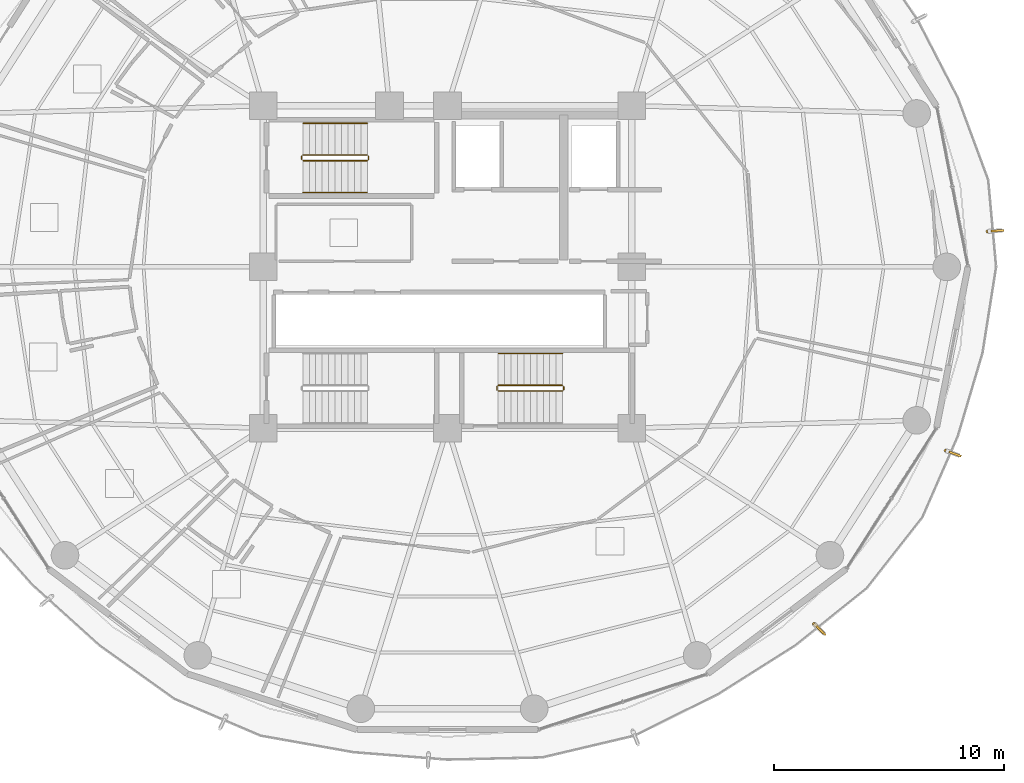
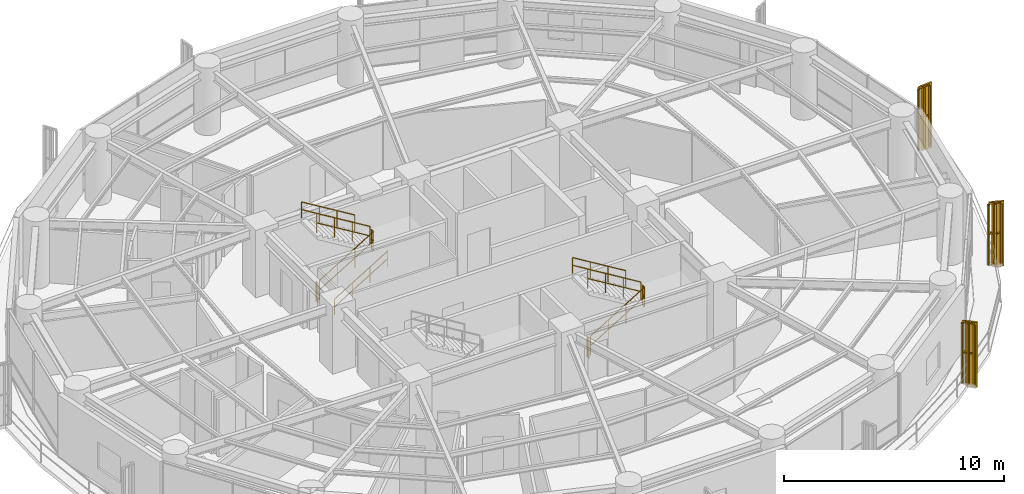
# One storey, part 26 of 27: 14 railings, 3 shading devices.
"""IFC4 building model written with IfcOpenShell, lengths in metres."""

from ifc_helpers import new_model, si_unit, direction, frame, origin, origin_2d, place, context, subcontext, project, spatial, polyline, rectangle, outline, extrude, source, transform, mapped, material, type_object, element, save


model = new_model("IFC4")

# Units and contexts
model_context = context("Model", 3, precision=1e-05, world=origin(), true_north=direction((0.0, 1.0)))
body_context = subcontext(model_context, "Body", "Model", "MODEL_VIEW")
ifc_project = project(units=[si_unit("LENGTHUNIT", "METRE"), si_unit("AREAUNIT", "SQUARE_METRE"), si_unit("VOLUMEUNIT", "CUBIC_METRE"), si_unit("PLANEANGLEUNIT", "RADIAN"), si_unit("MASSUNIT", "GRAM", prefix="KILO")], contexts=[model_context])

# Site, building, storey
site_placement = place(None, origin())
site = spatial("IfcSite", under=ifc_project, at=site_placement, CompositionType="ELEMENT")
building_placement = place(site_placement, origin())
building = spatial("IfcBuilding", under=site, at=building_placement, Name="Kelanora Arch Commons", CompositionType="ELEMENT")
storey_placement = place(building_placement, frame((0.0, 0.0, 154.35009765625)))
storey = spatial("IfcBuildingStorey", under=building, at=storey_placement, Name="L39", CompositionType="ELEMENT", Elevation=154.35009765625)

# Railings
ifc_material_1 = material(Name="Anodised bronze vertical shading fin rib assembly")
railing_type_1 = type_object("IfcRailingType", Name="RAIL-FIN-BRZ", PredefinedType="BALUSTRADE", material=ifc_material_1)
railing_1_placement = place(storey_placement, frame((97.45751953125, 59.543701171875, -0.02001953125)))
element("IfcRailing", 1, at=railing_1_placement, inside=storey, type_object=railing_type_1, Name="Sweeping Bronze Vertical Fin Blade L39-00", PredefinedType="BALUSTRADE", context=body_context, shape_type="SweptSolid", body=[
    extrude(outline(polyline([(0.06982421875, 0.0), (0.034912109375, 0.060546875), (-0.034912109375, 0.060546875), (-0.06982421875, 0.0), (-0.034912109375, -0.060546875), (0.034912109375, -0.060546875), (0.06982421875, 0.0)])), frame((0.0, 0.0, 3.419921875), z_axis=(0.997841402066, 0.065669904239, 0.0), x_axis=(-0.065669904239, 0.997841402066, 0.0)), (0.0, 0.0, 1.0), 0.572509765625),
    extrude(outline(polyline([(0.06982421875, 0.0), (0.034912109375, 0.060546875), (-0.034912109375, 0.060546875), (-0.06982421875, 0.0), (-0.034912109375, -0.060546875), (0.034912109375, -0.060546875), (0.06982421875, 0.0)])), frame((0.0, 0.0, 1.7451171875), z_axis=(0.997841402066, 0.065669904239, 0.0), x_axis=(-0.065669904239, 0.997841402066, 0.0)), (0.0, 0.0, 1.0), 0.572509765625),
    extrude(outline(polyline([(0.080078125, 0.0), (0.0400390625, 0.0693359375), (-0.0400390625, 0.0693359375), (-0.080078125, 0.0), (-0.0400390625, -0.0693359375), (0.0400390625, -0.0693359375), (0.080078125, 0.0)])), origin(), (0.0, 0.0, 1.0), 3.35009765625),
    extrude(outline(polyline([(0.080078125, 0.0), (0.0400390625, 0.0693359375), (-0.0400390625, 0.0693359375), (-0.080078125, 0.0), (-0.0400390625, -0.0693359375), (0.0400390625, -0.0693359375), (0.080078125, 0.0)])), frame((0.28564453125, 0.018798828125, 0.0)), (0.0, 0.0, 1.0), 3.35009765625),
    extrude(outline(polyline([(0.080078125, 0.0), (0.0400390625, 0.0693359375), (-0.0400390625, 0.0693359375), (-0.080078125, 0.0), (-0.0400390625, -0.0693359375), (0.0400390625, -0.0693359375), (0.080078125, 0.0)])), frame((0.5712890625, 0.03759765625, 0.0)), (0.0, 0.0, 1.0), 3.35009765625),
])
railing_2_placement = place(storey_placement, frame((89.918701171875, 42.500732421875, -0.02001953125)))
element("IfcRailing", 2, at=railing_2_placement, inside=storey, type_object=railing_type_1, Name="Sweeping Bronze Vertical Fin Blade L39-13", PredefinedType="BALUSTRADE", context=body_context, shape_type="SweptSolid", body=[
    extrude(outline(polyline([(0.06982421875, 0.0), (0.034912109375, 0.060546875), (-0.034912109375, 0.060546875), (-0.06982421875, 0.0), (-0.034912109375, -0.060546875), (0.034912109375, -0.060546875), (0.06982421875, 0.0)])), frame((0.0, 0.0, 3.419921875), z_axis=(0.716633783247, -0.697449654605, 0.0), x_axis=(0.697449654605, 0.716633783247, 0.0)), (0.0, 0.0, 1.0), 0.57275390625),
    extrude(outline(polyline([(0.06982421875, 0.0), (0.034912109375, 0.060546875), (-0.034912109375, 0.060546875), (-0.06982421875, 0.0), (-0.034912109375, -0.060546875), (0.034912109375, -0.060546875), (0.06982421875, 0.0)])), frame((0.0, 0.0, 1.7451171875), z_axis=(0.716633783247, -0.697449654605, 0.0), x_axis=(0.697449654605, 0.716633783247, 0.0)), (0.0, 0.0, 1.0), 0.57275390625),
    extrude(outline(polyline([(0.080078125, 0.0), (0.0400390625, 0.0693359375), (-0.0400390625, 0.0693359375), (-0.080078125, 0.0), (-0.0400390625, -0.0693359375), (0.0400390625, -0.0693359375), (0.080078125, 0.0)])), origin(), (0.0, 0.0, 1.0), 3.35009765625),
    extrude(outline(polyline([(0.080078125, 0.0), (0.0400390625, 0.0693359375), (-0.0400390625, 0.0693359375), (-0.080078125, 0.0), (-0.0400390625, -0.0693359375), (0.0400390625, -0.0693359375), (0.080078125, 0.0)])), frame((0.205078125, -0.19970703125, 0.0)), (0.0, 0.0, 1.0), 3.35009765625),
    extrude(outline(polyline([(0.080078125, 0.0), (0.0400390625, 0.0693359375), (-0.0400390625, 0.0693359375), (-0.080078125, 0.0), (-0.0400390625, -0.0693359375), (0.0400390625, -0.0693359375), (0.080078125, 0.0)])), frame((0.410400390625, -0.3994140625, 0.0)), (0.0, 0.0, 1.0), 3.35009765625),
])
railing_3_placement = place(storey_placement, frame((95.640625, 50.022705078125, -0.02001953125)))
element("IfcRailing", 3, at=railing_3_placement, inside=storey, type_object=railing_type_1, Name="Sweeping Bronze Vertical Fin Blade L39-14", PredefinedType="BALUSTRADE", context=body_context, shape_type="SweptSolid", body=[
    extrude(outline(polyline([(0.06982421875, 0.0), (0.034912109375, 0.060546875), (-0.034912109375, 0.060546875), (-0.06982421875, 0.0), (-0.034912109375, -0.060546875), (0.034912109375, -0.060546875), (0.06982421875, 0.0)])), frame((0.0, 0.0, 3.419921875), z_axis=(0.938328558744, -0.345744871032, 0.0), x_axis=(0.345744871032, 0.938328558744, 0.0)), (0.0, 0.0, 1.0), 0.57275390625),
    extrude(outline(polyline([(0.06982421875, 0.0), (0.034912109375, 0.060546875), (-0.034912109375, 0.060546875), (-0.06982421875, 0.0), (-0.034912109375, -0.060546875), (0.034912109375, -0.060546875), (0.06982421875, 0.0)])), frame((0.0, 0.0, 1.7451171875), z_axis=(0.938328558744, -0.345744871032, 0.0), x_axis=(0.345744871032, 0.938328558744, 0.0)), (0.0, 0.0, 1.0), 0.57275390625),
    extrude(outline(polyline([(0.080078125, 0.0), (0.0400390625, 0.0693359375), (-0.0400390625, 0.0693359375), (-0.080078125, 0.0), (-0.0400390625, -0.0693359375), (0.0400390625, -0.0693359375), (0.080078125, 0.0)])), origin(), (0.0, 0.0, 1.0), 3.35009765625),
    extrude(outline(polyline([(0.080078125, 0.0), (0.0400390625, 0.0693359375), (-0.0400390625, 0.0693359375), (-0.080078125, 0.0), (-0.0400390625, -0.0693359375), (0.0400390625, -0.0693359375), (0.080078125, 0.0)])), frame((0.2685546875, -0.09912109375, 0.0)), (0.0, 0.0, 1.0), 3.35009765625),
    extrude(outline(polyline([(0.080078125, 0.0), (0.0400390625, 0.0693359375), (-0.0400390625, 0.0693359375), (-0.080078125, 0.0), (-0.0400390625, -0.0693359375), (0.0400390625, -0.0693359375), (0.080078125, 0.0)])), frame((0.537353515625, -0.197998046875, 0.0)), (0.0, 0.0, 1.0), 3.35009765625),
])
ifc_material_2 = material(Name="Painted steel stair well guard", Category="steel")
railing_type_2 = type_object("IfcRailingType", Name="RAIL-STAIR-GRD", PredefinedType="GUARDRAIL", material=ifc_material_2)
railing_4_placement = place(storey_placement, frame((67.719970703125, 62.610107421875, 0.17041015625)))
element("IfcRailing", 4, at=railing_4_placement, inside=storey, type_object=railing_type_2, Name="L39 ST-T1 stair guard 1", PredefinedType="GUARDRAIL", context=body_context, shape_type="SweptSolid", body=[
    extrude(outline(polyline([(0.02392578125, 0.0), (0.011962890625, 0.020751953125), (-0.011962890625, 0.020751953125), (-0.02392578125, 0.0), (-0.011962890625, -0.020751953125), (0.011962890625, -0.020751953125), (0.02392578125, 0.0)])), frame((0.0, 0.0, 1.076171875), z_axis=(0.854169791009, 0.0, 0.51999420009), x_axis=(0.0, 1.0, 0.0)), (0.0, 0.0, 1.0), 3.278076171875),
    extrude(outline(polyline([(0.02392578125, 0.0), (0.011962890625, 0.020751953125), (-0.011962890625, 0.020751953125), (-0.02392578125, 0.0), (-0.011962890625, -0.020751953125), (0.011962890625, -0.020751953125), (0.02392578125, 0.0)])), frame((0.0, 0.0, 0.550048828125), z_axis=(0.854169791009, 0.0, 0.51999420009), x_axis=(0.0, 1.0, 0.0)), (0.0, 0.0, 1.0), 3.278076171875),
    extrude(outline(polyline([(0.02099609375, 0.0), (0.010498046875, 0.01806640625), (-0.010498046875, 0.01806640625), (-0.02099609375, 0.0), (-0.010498046875, -0.01806640625), (0.010498046875, -0.01806640625), (0.02099609375, 0.0)])), origin(), (0.0, 0.0, 1.0), 1.052001953125),
    extrude(outline(polyline([(0.02099609375, 0.0), (0.010498046875, 0.01806640625), (-0.010498046875, 0.01806640625), (-0.02099609375, 0.0), (-0.010498046875, -0.01806640625), (0.010498046875, -0.01806640625), (0.02099609375, 0.0)])), frame((0.933349609375, 0.0, 0.568115234375)), (0.0, 0.0, 1.0), 1.052001953125),
    extrude(outline(polyline([(0.02099609375, 0.0), (0.010498046875, 0.01806640625), (-0.010498046875, 0.01806640625), (-0.02099609375, 0.0), (-0.010498046875, -0.01806640625), (0.010498046875, -0.01806640625), (0.02099609375, 0.0)])), frame((1.86669921875, 0.0, 1.136474609375)), (0.0, 0.0, 1.0), 1.052001953125),
    extrude(outline(polyline([(0.02099609375, 0.0), (0.010498046875, 0.01806640625), (-0.010498046875, 0.01806640625), (-0.02099609375, 0.0), (-0.010498046875, -0.01806640625), (0.010498046875, -0.01806640625), (0.02099609375, 0.0)])), frame((2.800048828125, 0.0, 1.70458984375)), (0.0, 0.0, 1.0), 1.052001953125),
])
railing_5_placement = place(storey_placement, frame((70.570068359375, 62.659912109375, 1.875)))
element("IfcRailing", 5, at=railing_5_placement, inside=storey, type_object=railing_type_2, Name="L39 ST-T1 stair guard 2", PredefinedType="GUARDRAIL", context=body_context, shape_type="SweptSolid", body=[
    extrude(outline(polyline([(0.02392578125, 0.0), (0.011962890625, 0.020751953125), (-0.011962890625, 0.020751953125), (-0.02392578125, 0.0), (-0.011962890625, -0.020751953125), (0.011962890625, -0.020751953125), (0.02392578125, 0.0)])), frame((0.0, 0.0, 1.076171875), z_axis=(0.0, 1.0, 0.0), x_axis=(-1.0, 0.0, 0.0)), (0.0, 0.0, 1.0), 0.150146484375),
    extrude(outline(polyline([(0.02392578125, 0.0), (0.011962890625, 0.020751953125), (-0.011962890625, 0.020751953125), (-0.02392578125, 0.0), (-0.011962890625, -0.020751953125), (0.011962890625, -0.020751953125), (0.02392578125, 0.0)])), frame((0.0, 0.0, 0.550048828125), z_axis=(0.0, 1.0, 0.0), x_axis=(-1.0, 0.0, 0.0)), (0.0, 0.0, 1.0), 0.150146484375),
    extrude(outline(polyline([(0.02099609375, 0.0), (0.010498046875, 0.01806640625), (-0.010498046875, 0.01806640625), (-0.02099609375, 0.0), (-0.010498046875, -0.01806640625), (0.010498046875, -0.01806640625), (0.02099609375, 0.0)])), origin(), (0.0, 0.0, 1.0), 1.052001953125),
    extrude(outline(polyline([(0.02099609375, 0.0), (0.010498046875, 0.01806640625), (-0.010498046875, 0.01806640625), (-0.02099609375, 0.0), (-0.010498046875, -0.01806640625), (0.010498046875, -0.01806640625), (0.02099609375, 0.0)])), frame((0.0, 0.150146484375, 0.0)), (0.0, 0.0, 1.0), 1.052001953125),
])
railing_6_placement = place(storey_placement, frame((70.52001953125, 62.860107421875, 2.04541015625)))
element("IfcRailing", 6, at=railing_6_placement, inside=storey, type_object=railing_type_2, Name="L39 ST-T1 stair guard 3", PredefinedType="GUARDRAIL", context=body_context, shape_type="SweptSolid", body=[
    extrude(outline(polyline([(0.02392578125, 0.0), (0.011962890625, 0.020751953125), (-0.011962890625, 0.020751953125), (-0.02392578125, 0.0), (-0.011962890625, -0.020751953125), (0.011962890625, -0.020751953125), (0.02392578125, 0.0)])), frame((0.0, 0.0, 1.076171875), z_axis=(-0.854169791009, 0.0, 0.51999420009), x_axis=(0.0, -1.0, 0.0)), (0.0, 0.0, 1.0), 3.278076171875),
    extrude(outline(polyline([(0.02392578125, 0.0), (0.011962890625, 0.020751953125), (-0.011962890625, 0.020751953125), (-0.02392578125, 0.0), (-0.011962890625, -0.020751953125), (0.011962890625, -0.020751953125), (0.02392578125, 0.0)])), frame((0.0, 0.0, 0.550048828125), z_axis=(-0.854169791009, 0.0, 0.51999420009), x_axis=(0.0, -1.0, 0.0)), (0.0, 0.0, 1.0), 3.278076171875),
    extrude(outline(polyline([(0.02099609375, 0.0), (0.010498046875, 0.01806640625), (-0.010498046875, 0.01806640625), (-0.02099609375, 0.0), (-0.010498046875, -0.01806640625), (0.010498046875, -0.01806640625), (0.02099609375, 0.0)])), origin(), (0.0, 0.0, 1.0), 1.052001953125),
    extrude(outline(polyline([(0.02099609375, 0.0), (0.010498046875, 0.01806640625), (-0.010498046875, 0.01806640625), (-0.02099609375, 0.0), (-0.010498046875, -0.01806640625), (0.010498046875, -0.01806640625), (0.02099609375, 0.0)])), frame((-0.933349609375, 0.0, 0.568115234375)), (0.0, 0.0, 1.0), 1.052001953125),
    extrude(outline(polyline([(0.02099609375, 0.0), (0.010498046875, 0.01806640625), (-0.010498046875, 0.01806640625), (-0.02099609375, 0.0), (-0.010498046875, -0.01806640625), (0.010498046875, -0.01806640625), (0.02099609375, 0.0)])), frame((-1.86669921875, 0.0, 1.136474609375)), (0.0, 0.0, 1.0), 1.052001953125),
    extrude(outline(polyline([(0.02099609375, 0.0), (0.010498046875, 0.01806640625), (-0.010498046875, 0.01806640625), (-0.02099609375, 0.0), (-0.010498046875, -0.01806640625), (0.010498046875, -0.01806640625), (0.02099609375, 0.0)])), frame((-2.800048828125, 0.0, 1.70458984375)), (0.0, 0.0, 1.0), 1.052001953125),
])
railing_7_placement = place(storey_placement, frame((67.669921875, 62.659912109375, 0.0)))
element("IfcRailing", 7, at=railing_7_placement, inside=storey, type_object=railing_type_2, Name="L39 ST-T1 stair guard 4", PredefinedType="GUARDRAIL", context=body_context, shape_type="SweptSolid", body=[
    extrude(outline(polyline([(0.02392578125, 0.0), (0.011962890625, 0.020751953125), (-0.011962890625, 0.020751953125), (-0.02392578125, 0.0), (-0.011962890625, -0.020751953125), (0.011962890625, -0.020751953125), (0.02392578125, 0.0)])), frame((0.0, 0.0, 1.076171875), z_axis=(0.0, 1.0, 0.0), x_axis=(-1.0, 0.0, 0.0)), (0.0, 0.0, 1.0), 0.150146484375),
    extrude(outline(polyline([(0.02392578125, 0.0), (0.011962890625, 0.020751953125), (-0.011962890625, 0.020751953125), (-0.02392578125, 0.0), (-0.011962890625, -0.020751953125), (0.011962890625, -0.020751953125), (0.02392578125, 0.0)])), frame((0.0, 0.0, 0.550048828125), z_axis=(0.0, 1.0, 0.0), x_axis=(-1.0, 0.0, 0.0)), (0.0, 0.0, 1.0), 0.150146484375),
    extrude(outline(polyline([(0.02099609375, 0.0), (0.010498046875, 0.01806640625), (-0.010498046875, 0.01806640625), (-0.02099609375, 0.0), (-0.010498046875, -0.01806640625), (0.010498046875, -0.01806640625), (0.02099609375, 0.0)])), origin(), (0.0, 0.0, 1.0), 1.052001953125),
    extrude(outline(polyline([(0.02099609375, 0.0), (0.010498046875, 0.01806640625), (-0.010498046875, 0.01806640625), (-0.02099609375, 0.0), (-0.010498046875, -0.01806640625), (0.010498046875, -0.01806640625), (0.02099609375, 0.0)])), frame((0.0, 0.150146484375, 0.0)), (0.0, 0.0, 1.0), 1.052001953125),
])
railing_8_placement = place(storey_placement, frame((76.199951171875, 52.610107421875, 0.17041015625)))
element("IfcRailing", 8, at=railing_8_placement, inside=storey, type_object=railing_type_2, Name="L39 ST-T2 stair guard 1", PredefinedType="GUARDRAIL", context=body_context, shape_type="SweptSolid", body=[
    extrude(outline(polyline([(0.02392578125, 0.0), (0.011962890625, 0.020751953125), (-0.011962890625, 0.020751953125), (-0.02392578125, 0.0), (-0.011962890625, -0.020751953125), (0.011962890625, -0.020751953125), (0.02392578125, 0.0)])), frame((0.0, 0.0, 1.076171875), z_axis=(0.854169791009, 0.0, 0.51999420009), x_axis=(0.0, 1.0, 0.0)), (0.0, 0.0, 1.0), 3.278076171875),
    extrude(outline(polyline([(0.02392578125, 0.0), (0.011962890625, 0.020751953125), (-0.011962890625, 0.020751953125), (-0.02392578125, 0.0), (-0.011962890625, -0.020751953125), (0.011962890625, -0.020751953125), (0.02392578125, 0.0)])), frame((0.0, 0.0, 0.550048828125), z_axis=(0.854169791009, 0.0, 0.51999420009), x_axis=(0.0, 1.0, 0.0)), (0.0, 0.0, 1.0), 3.278076171875),
    extrude(outline(polyline([(0.02099609375, 0.0), (0.010498046875, 0.01806640625), (-0.010498046875, 0.01806640625), (-0.02099609375, 0.0), (-0.010498046875, -0.01806640625), (0.010498046875, -0.01806640625), (0.02099609375, 0.0)])), origin(), (0.0, 0.0, 1.0), 1.052001953125),
    extrude(outline(polyline([(0.02099609375, 0.0), (0.010498046875, 0.01806640625), (-0.010498046875, 0.01806640625), (-0.02099609375, 0.0), (-0.010498046875, -0.01806640625), (0.010498046875, -0.01806640625), (0.02099609375, 0.0)])), frame((0.933349609375, 0.0, 0.568115234375)), (0.0, 0.0, 1.0), 1.052001953125),
    extrude(outline(polyline([(0.02099609375, 0.0), (0.010498046875, 0.01806640625), (-0.010498046875, 0.01806640625), (-0.02099609375, 0.0), (-0.010498046875, -0.01806640625), (0.010498046875, -0.01806640625), (0.02099609375, 0.0)])), frame((1.86669921875, 0.0, 1.136474609375)), (0.0, 0.0, 1.0), 1.052001953125),
    extrude(outline(polyline([(0.02099609375, 0.0), (0.010498046875, 0.01806640625), (-0.010498046875, 0.01806640625), (-0.02099609375, 0.0), (-0.010498046875, -0.01806640625), (0.010498046875, -0.01806640625), (0.02099609375, 0.0)])), frame((2.800048828125, 0.0, 1.70458984375)), (0.0, 0.0, 1.0), 1.052001953125),
])
railing_9_placement = place(storey_placement, frame((79.050048828125, 52.659912109375, 1.875)))
element("IfcRailing", 9, at=railing_9_placement, inside=storey, type_object=railing_type_2, Name="L39 ST-T2 stair guard 2", PredefinedType="GUARDRAIL", context=body_context, shape_type="SweptSolid", body=[
    extrude(outline(polyline([(0.02392578125, 0.0), (0.011962890625, 0.020751953125), (-0.011962890625, 0.020751953125), (-0.02392578125, 0.0), (-0.011962890625, -0.020751953125), (0.011962890625, -0.020751953125), (0.02392578125, 0.0)])), frame((0.0, 0.0, 1.076171875), z_axis=(0.0, 1.0, 0.0), x_axis=(-1.0, 0.0, 0.0)), (0.0, 0.0, 1.0), 0.150146484375),
    extrude(outline(polyline([(0.02392578125, 0.0), (0.011962890625, 0.020751953125), (-0.011962890625, 0.020751953125), (-0.02392578125, 0.0), (-0.011962890625, -0.020751953125), (0.011962890625, -0.020751953125), (0.02392578125, 0.0)])), frame((0.0, 0.0, 0.550048828125), z_axis=(0.0, 1.0, 0.0), x_axis=(-1.0, 0.0, 0.0)), (0.0, 0.0, 1.0), 0.150146484375),
    extrude(outline(polyline([(0.02099609375, 0.0), (0.010498046875, 0.01806640625), (-0.010498046875, 0.01806640625), (-0.02099609375, 0.0), (-0.010498046875, -0.01806640625), (0.010498046875, -0.01806640625), (0.02099609375, 0.0)])), origin(), (0.0, 0.0, 1.0), 1.052001953125),
    extrude(outline(polyline([(0.02099609375, 0.0), (0.010498046875, 0.01806640625), (-0.010498046875, 0.01806640625), (-0.02099609375, 0.0), (-0.010498046875, -0.01806640625), (0.010498046875, -0.01806640625), (0.02099609375, 0.0)])), frame((0.0, 0.150146484375, 0.0)), (0.0, 0.0, 1.0), 1.052001953125),
])
railing_10_placement = place(storey_placement, frame((79.0, 52.860107421875, 2.04541015625)))
element("IfcRailing", 10, at=railing_10_placement, inside=storey, type_object=railing_type_2, Name="L39 ST-T2 stair guard 3", PredefinedType="GUARDRAIL", context=body_context, shape_type="SweptSolid", body=[
    extrude(outline(polyline([(0.02392578125, 0.0), (0.011962890625, 0.020751953125), (-0.011962890625, 0.020751953125), (-0.02392578125, 0.0), (-0.011962890625, -0.020751953125), (0.011962890625, -0.020751953125), (0.02392578125, 0.0)])), frame((0.0, 0.0, 1.076171875), z_axis=(-0.854169791009, 0.0, 0.51999420009), x_axis=(0.0, -1.0, 0.0)), (0.0, 0.0, 1.0), 3.278076171875),
    extrude(outline(polyline([(0.02392578125, 0.0), (0.011962890625, 0.020751953125), (-0.011962890625, 0.020751953125), (-0.02392578125, 0.0), (-0.011962890625, -0.020751953125), (0.011962890625, -0.020751953125), (0.02392578125, 0.0)])), frame((0.0, 0.0, 0.550048828125), z_axis=(-0.854169791009, 0.0, 0.51999420009), x_axis=(0.0, -1.0, 0.0)), (0.0, 0.0, 1.0), 3.278076171875),
    extrude(outline(polyline([(0.02099609375, 0.0), (0.010498046875, 0.01806640625), (-0.010498046875, 0.01806640625), (-0.02099609375, 0.0), (-0.010498046875, -0.01806640625), (0.010498046875, -0.01806640625), (0.02099609375, 0.0)])), origin(), (0.0, 0.0, 1.0), 1.052001953125),
    extrude(outline(polyline([(0.02099609375, 0.0), (0.010498046875, 0.01806640625), (-0.010498046875, 0.01806640625), (-0.02099609375, 0.0), (-0.010498046875, -0.01806640625), (0.010498046875, -0.01806640625), (0.02099609375, 0.0)])), frame((-0.933349609375, 0.0, 0.568115234375)), (0.0, 0.0, 1.0), 1.052001953125),
    extrude(outline(polyline([(0.02099609375, 0.0), (0.010498046875, 0.01806640625), (-0.010498046875, 0.01806640625), (-0.02099609375, 0.0), (-0.010498046875, -0.01806640625), (0.010498046875, -0.01806640625), (0.02099609375, 0.0)])), frame((-1.86669921875, 0.0, 1.136474609375)), (0.0, 0.0, 1.0), 1.052001953125),
    extrude(outline(polyline([(0.02099609375, 0.0), (0.010498046875, 0.01806640625), (-0.010498046875, 0.01806640625), (-0.02099609375, 0.0), (-0.010498046875, -0.01806640625), (0.010498046875, -0.01806640625), (0.02099609375, 0.0)])), frame((-2.800048828125, 0.0, 1.70458984375)), (0.0, 0.0, 1.0), 1.052001953125),
])
railing_11_placement = place(storey_placement, frame((76.14990234375, 52.659912109375, 0.0)))
element("IfcRailing", 11, at=railing_11_placement, inside=storey, type_object=railing_type_2, Name="L39 ST-T2 stair guard 4", PredefinedType="GUARDRAIL", context=body_context, shape_type="SweptSolid", body=[
    extrude(outline(polyline([(0.02392578125, 0.0), (0.011962890625, 0.020751953125), (-0.011962890625, 0.020751953125), (-0.02392578125, 0.0), (-0.011962890625, -0.020751953125), (0.011962890625, -0.020751953125), (0.02392578125, 0.0)])), frame((0.0, 0.0, 1.076171875), z_axis=(0.0, 1.0, 0.0), x_axis=(-1.0, 0.0, 0.0)), (0.0, 0.0, 1.0), 0.150146484375),
    extrude(outline(polyline([(0.02392578125, 0.0), (0.011962890625, 0.020751953125), (-0.011962890625, 0.020751953125), (-0.02392578125, 0.0), (-0.011962890625, -0.020751953125), (0.011962890625, -0.020751953125), (0.02392578125, 0.0)])), frame((0.0, 0.0, 0.550048828125), z_axis=(0.0, 1.0, 0.0), x_axis=(-1.0, 0.0, 0.0)), (0.0, 0.0, 1.0), 0.150146484375),
    extrude(outline(polyline([(0.02099609375, 0.0), (0.010498046875, 0.01806640625), (-0.010498046875, 0.01806640625), (-0.02099609375, 0.0), (-0.010498046875, -0.01806640625), (0.010498046875, -0.01806640625), (0.02099609375, 0.0)])), origin(), (0.0, 0.0, 1.0), 1.052001953125),
    extrude(outline(polyline([(0.02099609375, 0.0), (0.010498046875, 0.01806640625), (-0.010498046875, 0.01806640625), (-0.02099609375, 0.0), (-0.010498046875, -0.01806640625), (0.010498046875, -0.01806640625), (0.02099609375, 0.0)])), frame((0.0, 0.150146484375, 0.0)), (0.0, 0.0, 1.0), 1.052001953125),
])
ifc_material_3 = material(Name="Brushed stainless steel stair handrail", Category="steel")
railing_type_3 = type_object("IfcRailingType", Name="RAIL-STAIR-HND", PredefinedType="HANDRAIL", material=ifc_material_3)
railing_12_placement = place(storey_placement, frame((67.719970703125, 61.22998046875, 0.17041015625)))
element("IfcRailing", 12, at=railing_12_placement, inside=storey, type_object=railing_type_3, Name="L39 ST-T1 stair handrail 1", PredefinedType="HANDRAIL", context=body_context, shape_type="SweptSolid", body=[
    extrude(outline(polyline([(0.02392578125, 0.0), (0.011962890625, 0.020751953125), (-0.011962890625, 0.020751953125), (-0.02392578125, 0.0), (-0.011962890625, -0.020751953125), (0.011962890625, -0.020751953125), (0.02392578125, 0.0)])), frame((0.0, 0.0, 0.8759765625), z_axis=(0.854169791009, 0.0, 0.51999420009), x_axis=(0.0, 1.0, 0.0)), (0.0, 0.0, 1.0), 3.278076171875),
    extrude(outline(polyline([(0.02392578125, 0.0), (0.011962890625, 0.020751953125), (-0.011962890625, 0.020751953125), (-0.02392578125, 0.0), (-0.011962890625, -0.020751953125), (0.011962890625, -0.020751953125), (0.02392578125, 0.0)])), frame((0.0, 0.0, 0.449951171875), z_axis=(0.854169791009, 0.0, 0.51999420009), x_axis=(0.0, 1.0, 0.0)), (0.0, 0.0, 1.0), 3.278076171875),
    extrude(outline(polyline([(0.02099609375, 0.0), (0.010498046875, 0.01806640625), (-0.010498046875, 0.01806640625), (-0.02099609375, 0.0), (-0.010498046875, -0.01806640625), (0.010498046875, -0.01806640625), (0.02099609375, 0.0)])), origin(), (0.0, 0.0, 1.0), 0.851806640625),
    extrude(outline(polyline([(0.02099609375, 0.0), (0.010498046875, 0.01806640625), (-0.010498046875, 0.01806640625), (-0.02099609375, 0.0), (-0.010498046875, -0.01806640625), (0.010498046875, -0.01806640625), (0.02099609375, 0.0)])), frame((0.933349609375, 0.0, 0.568115234375)), (0.0, 0.0, 1.0), 0.851806640625),
    extrude(outline(polyline([(0.02099609375, 0.0), (0.010498046875, 0.01806640625), (-0.010498046875, 0.01806640625), (-0.02099609375, 0.0), (-0.010498046875, -0.01806640625), (0.010498046875, -0.01806640625), (0.02099609375, 0.0)])), frame((1.86669921875, 0.0, 1.136474609375)), (0.0, 0.0, 1.0), 0.851806640625),
    extrude(outline(polyline([(0.02099609375, 0.0), (0.010498046875, 0.01806640625), (-0.010498046875, 0.01806640625), (-0.02099609375, 0.0), (-0.010498046875, -0.01806640625), (0.010498046875, -0.01806640625), (0.02099609375, 0.0)])), frame((2.800048828125, 0.0, 1.70458984375)), (0.0, 0.0, 1.0), 0.851806640625),
])
railing_13_placement = place(storey_placement, frame((70.52001953125, 64.239990234375, 2.04541015625)))
element("IfcRailing", 13, at=railing_13_placement, inside=storey, type_object=railing_type_3, Name="L39 ST-T1 stair handrail 2", PredefinedType="HANDRAIL", context=body_context, shape_type="SweptSolid", body=[
    extrude(outline(polyline([(0.02392578125, 0.0), (0.011962890625, 0.020751953125), (-0.011962890625, 0.020751953125), (-0.02392578125, 0.0), (-0.011962890625, -0.020751953125), (0.011962890625, -0.020751953125), (0.02392578125, 0.0)])), frame((0.0, 0.0, 0.8759765625), z_axis=(-0.854169791009, 0.0, 0.51999420009), x_axis=(0.0, -1.0, 0.0)), (0.0, 0.0, 1.0), 3.278076171875),
    extrude(outline(polyline([(0.02392578125, 0.0), (0.011962890625, 0.020751953125), (-0.011962890625, 0.020751953125), (-0.02392578125, 0.0), (-0.011962890625, -0.020751953125), (0.011962890625, -0.020751953125), (0.02392578125, 0.0)])), frame((0.0, 0.0, 0.449951171875), z_axis=(-0.854169791009, 0.0, 0.51999420009), x_axis=(0.0, -1.0, 0.0)), (0.0, 0.0, 1.0), 3.278076171875),
    extrude(outline(polyline([(0.02099609375, 0.0), (0.010498046875, 0.01806640625), (-0.010498046875, 0.01806640625), (-0.02099609375, 0.0), (-0.010498046875, -0.01806640625), (0.010498046875, -0.01806640625), (0.02099609375, 0.0)])), origin(), (0.0, 0.0, 1.0), 0.851806640625),
    extrude(outline(polyline([(0.02099609375, 0.0), (0.010498046875, 0.01806640625), (-0.010498046875, 0.01806640625), (-0.02099609375, 0.0), (-0.010498046875, -0.01806640625), (0.010498046875, -0.01806640625), (0.02099609375, 0.0)])), frame((-0.933349609375, 0.0, 0.568115234375)), (0.0, 0.0, 1.0), 0.851806640625),
    extrude(outline(polyline([(0.02099609375, 0.0), (0.010498046875, 0.01806640625), (-0.010498046875, 0.01806640625), (-0.02099609375, 0.0), (-0.010498046875, -0.01806640625), (0.010498046875, -0.01806640625), (0.02099609375, 0.0)])), frame((-1.86669921875, 0.0, 1.136474609375)), (0.0, 0.0, 1.0), 0.851806640625),
    extrude(outline(polyline([(0.02099609375, 0.0), (0.010498046875, 0.01806640625), (-0.010498046875, 0.01806640625), (-0.02099609375, 0.0), (-0.010498046875, -0.01806640625), (0.010498046875, -0.01806640625), (0.02099609375, 0.0)])), frame((-2.800048828125, 0.0, 1.70458984375)), (0.0, 0.0, 1.0), 0.851806640625),
])
railing_14_placement = place(storey_placement, frame((79.0, 54.239990234375, 2.04541015625)))
element("IfcRailing", 14, at=railing_14_placement, inside=storey, type_object=railing_type_3, Name="L39 ST-T2 stair handrail 2", PredefinedType="HANDRAIL", context=body_context, shape_type="SweptSolid", body=[
    extrude(outline(polyline([(0.02392578125, 0.0), (0.011962890625, 0.020751953125), (-0.011962890625, 0.020751953125), (-0.02392578125, 0.0), (-0.011962890625, -0.020751953125), (0.011962890625, -0.020751953125), (0.02392578125, 0.0)])), frame((0.0, 0.0, 0.8759765625), z_axis=(-0.854169791009, 0.0, 0.51999420009), x_axis=(0.0, -1.0, 0.0)), (0.0, 0.0, 1.0), 3.278076171875),
    extrude(outline(polyline([(0.02392578125, 0.0), (0.011962890625, 0.020751953125), (-0.011962890625, 0.020751953125), (-0.02392578125, 0.0), (-0.011962890625, -0.020751953125), (0.011962890625, -0.020751953125), (0.02392578125, 0.0)])), frame((0.0, 0.0, 0.449951171875), z_axis=(-0.854169791009, 0.0, 0.51999420009), x_axis=(0.0, -1.0, 0.0)), (0.0, 0.0, 1.0), 3.278076171875),
    extrude(outline(polyline([(0.02099609375, 0.0), (0.010498046875, 0.01806640625), (-0.010498046875, 0.01806640625), (-0.02099609375, 0.0), (-0.010498046875, -0.01806640625), (0.010498046875, -0.01806640625), (0.02099609375, 0.0)])), origin(), (0.0, 0.0, 1.0), 0.851806640625),
    extrude(outline(polyline([(0.02099609375, 0.0), (0.010498046875, 0.01806640625), (-0.010498046875, 0.01806640625), (-0.02099609375, 0.0), (-0.010498046875, -0.01806640625), (0.010498046875, -0.01806640625), (0.02099609375, 0.0)])), frame((-0.933349609375, 0.0, 0.568115234375)), (0.0, 0.0, 1.0), 0.851806640625),
    extrude(outline(polyline([(0.02099609375, 0.0), (0.010498046875, 0.01806640625), (-0.010498046875, 0.01806640625), (-0.02099609375, 0.0), (-0.010498046875, -0.01806640625), (0.010498046875, -0.01806640625), (0.02099609375, 0.0)])), frame((-1.86669921875, 0.0, 1.136474609375)), (0.0, 0.0, 1.0), 0.851806640625),
    extrude(outline(polyline([(0.02099609375, 0.0), (0.010498046875, 0.01806640625), (-0.010498046875, 0.01806640625), (-0.02099609375, 0.0), (-0.010498046875, -0.01806640625), (0.010498046875, -0.01806640625), (0.02099609375, 0.0)])), frame((-2.800048828125, 0.0, 1.70458984375)), (0.0, 0.0, 1.0), 0.851806640625),
])

# Shading devices
ifc_material_4 = material(Name="Terracotta ceramic-clad extruded aluminium fin", Category="masonry")
shading_device_type = type_object("IfcShadingDeviceType", Name="SHD-FIN-WAIST", PredefinedType="USERDEFINED", material=ifc_material_4)
shared_shape = source(origin(), body_context, "Body", "SweptSolid", [
    extrude(rectangle(XDim=0.56005859375, YDim=0.090087890625, at=origin_2d()), origin(), (0.0, 0.0, 1.0), 3.610107421875),
])
for number, where, z_axis, x_axis, name in (
    (15, (97.8828125, 59.571533203125, -0.14013671875), (0.0, 0.0, 1.0), (0.997836032447, 0.065751443712, 0.0), "Sweeping Terracotta Fin L39-00"),
    (16, (90.22412109375, 42.203369140625, -0.14013671875), (0.0, 0.0, 1.0), (0.716423719924, -0.697665430941, 0.0), "Sweeping Terracotta Fin L39-13"),
    (17, (96.040771484375, 49.875244140625, -0.14013671875), (0.0, 0.0, 1.0), (0.938251730455, -0.345953306528, 0.0), "Sweeping Terracotta Fin L39-14"),
):
    element("IfcShadingDevice", number, at=place(storey_placement, frame(where, z_axis=z_axis, x_axis=x_axis)), inside=storey, type_object=shading_device_type, Name=name, ObjectType="FIN", PredefinedType="USERDEFINED", context=body_context, shape_type="MappedRepresentation", body=[
        mapped(shared_shape, transform((0.0, 0.0, 0.0), scale=1.0)),
    ])

save(model, "model.ifc")
